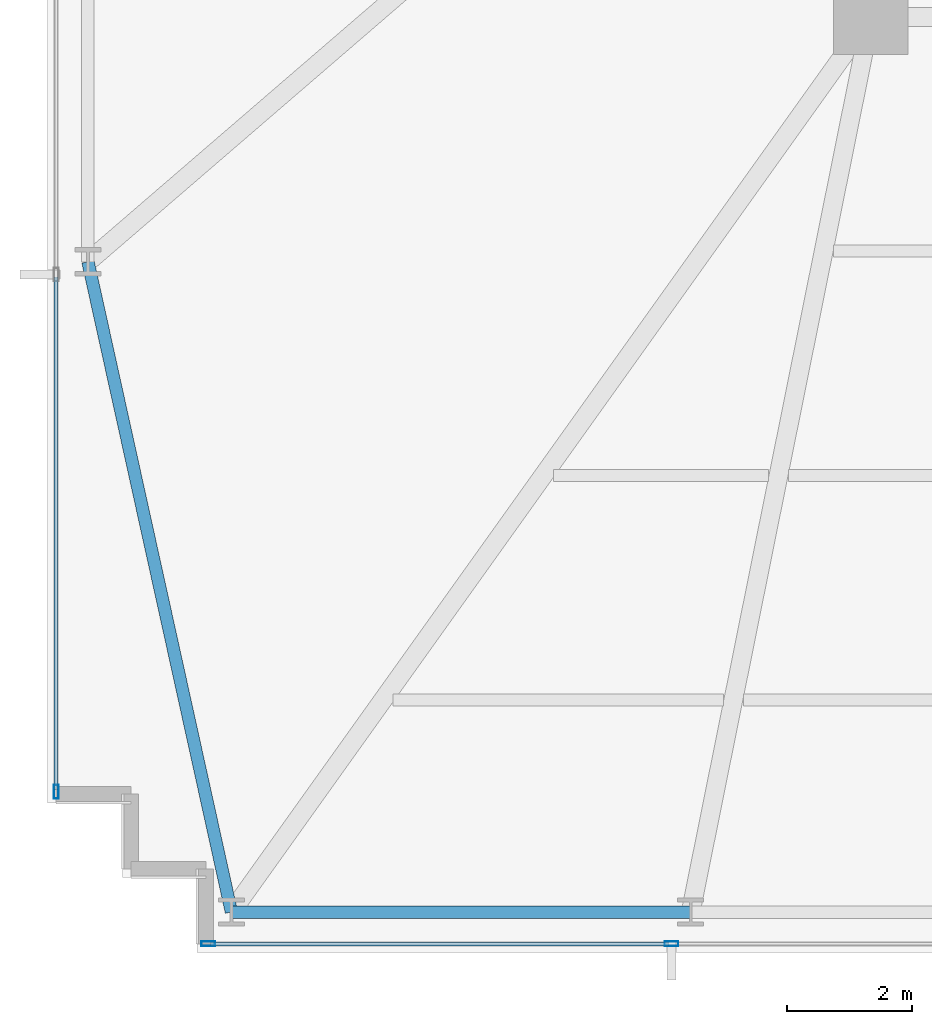
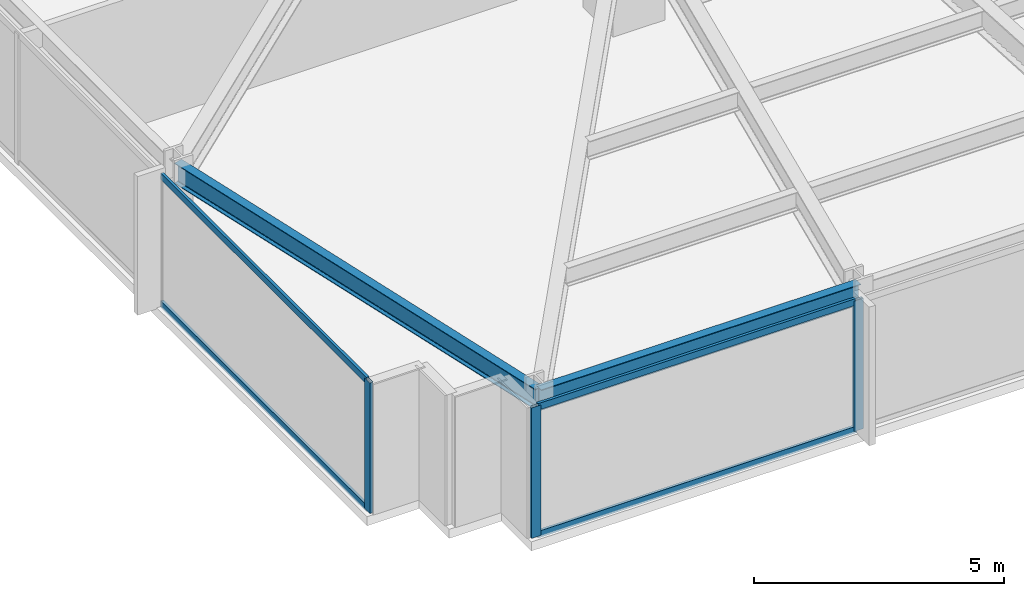
# One storey, part 2 of 33: 7 members, 2 beams, 2 elements without a shape of their own.
"""IFC4 building model written with IfcOpenShell, lengths in metres."""

from ifc_helpers import new_model, si_unit, direction, frame, origin, origin_2d, place, context, subcontext, project, spatial, hollow_rectangle, i_section, extrude, material, material_profile, profile_set, type_object, element, aggregate, save


model = new_model("IFC4")

# Units and contexts
model_context = context("Model", 3, precision=1e-05, world=origin(), true_north=direction((0.0, 1.0)))
body_context = subcontext(model_context, "Body", "Model", "MODEL_VIEW")
ifc_project = project(units=[si_unit("LENGTHUNIT", "METRE"), si_unit("AREAUNIT", "SQUARE_METRE"), si_unit("VOLUMEUNIT", "CUBIC_METRE"), si_unit("PLANEANGLEUNIT", "RADIAN"), si_unit("MASSUNIT", "GRAM", prefix="KILO")], contexts=[model_context])

# Site, building, storey
site_placement = place(None, origin())
site = spatial("IfcSite", under=ifc_project, at=site_placement, CompositionType="ELEMENT")
building_placement = place(site_placement, origin())
building = spatial("IfcBuilding", under=site, at=building_placement, Name="Yelkora Congress Tower", CompositionType="ELEMENT")
storey_placement = place(building_placement, frame((0.0, 0.0, 54.199951171875)))
storey = spatial("IfcBuildingStorey", under=building, at=storey_placement, Name="L13", CompositionType="ELEMENT", Elevation=54.199951171875)

# Beams
ifc_material_1 = material(Name="Steel S355J2", Category="steel")
ifc_material_profile_1 = material_profile(ifc_material_1, i_section(OverallWidth=0.199951171875, OverallDepth=0.5, WebThickness=0.01025390625, FlangeThickness=0.01611328125, FilletRadius=0.02099609375, at=origin_2d()), Name="IPE 500")
ifc_profile_set_1 = profile_set([ifc_material_profile_1], Name="Steel S355J2")
beam_type = type_object("IfcBeamType", Name="BM-SPAN-IPE500", PredefinedType="SPANDREL", material=ifc_profile_set_1)
beam_1_placement = place(storey_placement, frame((6.64990234375, 21.27490234375, 2.929931640625), z_axis=(0.215450706142, -0.976514717361, 0.0), x_axis=(0.976514717361, 0.215450706142, 0.0)))
element("IfcBeam", 1, at=beam_1_placement, inside=storey, type_object=beam_type, Name="L13 Perimeter Beam 1", PredefinedType="SPANDREL", context=body_context, shape_type="SweptSolid", body=[
    extrude(i_section(OverallWidth=0.199951171875, OverallDepth=0.5, WebThickness=0.01025390625, FlangeThickness=0.01611328125, FilletRadius=0.02099609375, at=origin_2d()), origin(), (0.0, 0.0, 1.0), 10.675537109375),
])
beam_2_placement = place(storey_placement, frame((8.949951171875, 10.85009765625, 2.929931640625), z_axis=(1.0, 0.0, 0.0), x_axis=(0.0, 1.0, 0.0)))
element("IfcBeam", 2, at=beam_2_placement, inside=storey, type_object=beam_type, Name="L13 Perimeter Beam 2", PredefinedType="SPANDREL", context=body_context, shape_type="SweptSolid", body=[
    extrude(i_section(OverallWidth=0.199951171875, OverallDepth=0.5, WebThickness=0.01025390625, FlangeThickness=0.01611328125, FilletRadius=0.02099609375, at=origin_2d()), origin(), (0.0, 0.0, 1.0), 7.362548828125),
])

# Curtain wall, member
ifc_material_2 = material(Name="Anodised aluminium and insulated glass", Category="aluminium")
curtain_wall_type = type_object("IfcCurtainWallType", Name="CW-SYS-B1", PredefinedType="NOTDEFINED", material=ifc_material_2)
curtain_wall_1_placement = place(storey_placement, origin())
curtain_wall_1 = element("IfcCurtainWall", 3, at=curtain_wall_1_placement, inside=storey, type_object=curtain_wall_type, Name="L13 Unitised Curtain Wall 5", PredefinedType="NOTDEFINED")
ifc_material_3 = material(Name="Anodised aluminium 6063-T6", Category="aluminium")
ifc_material_profile_2 = material_profile(ifc_material_3, hollow_rectangle(XDim=0.074951171875, YDim=0.219970703125, WallThickness=0.0048828125, at=origin_2d()), Name="ALU 75x220x5")
ifc_profile_set_2 = profile_set([ifc_material_profile_2], Name="Anodised aluminium 6063-T6")
member_type_1 = type_object("IfcMemberType", Name="MEM-ML-B1", PredefinedType="MULLION", material=ifc_profile_set_2)
member_1_placement = place(storey_placement, frame((6.139892578125, 12.777587890625, 0.0), z_axis=(0.0, 0.0, 1.0), x_axis=(-1.0, 0.0, 0.0)))
member_1 = element("IfcMember", 4, at=member_1_placement, type_object=member_type_1, Name="CW-B1 mullion 1", PredefinedType="MULLION", context=body_context, shape_type="SweptSolid", body=[
    extrude(hollow_rectangle(XDim=0.074951171875, YDim=0.219970703125, WallThickness=0.0048828125, at=origin_2d()), origin(), (0.0, 0.0, 1.0), 3.179931640625),
])

# Curtain wall, members
curtain_wall_2_placement = place(storey_placement, origin())
curtain_wall_2 = element("IfcCurtainWall", 5, at=curtain_wall_2_placement, inside=storey, type_object=curtain_wall_type, Name="L13 Unitised Curtain Wall 20", PredefinedType="NOTDEFINED")
member_2_placement = place(storey_placement, frame((16.0048828125, 10.340087890625, 0.0), z_axis=(0.0, 0.0, 1.0), x_axis=(0.0, -1.0, 0.0)))
member_2 = element("IfcMember", 6, at=member_2_placement, type_object=member_type_1, Name="CW-B1 mullion 8", PredefinedType="MULLION", context=body_context, shape_type="SweptSolid", body=[
    extrude(hollow_rectangle(XDim=0.074951171875, YDim=0.219970703125, WallThickness=0.0048828125, at=origin_2d()), origin(), (0.0, 0.0, 1.0), 3.179931640625),
])
member_3_placement = place(storey_placement, frame((8.577392578125, 10.340087890625, 0.0), z_axis=(0.0, 0.0, 1.0), x_axis=(0.0, -1.0, 0.0)))
member_3 = element("IfcMember", 7, at=member_3_placement, type_object=member_type_1, Name="CW-B1 mullion 9", PredefinedType="MULLION", context=body_context, shape_type="SweptSolid", body=[
    extrude(hollow_rectangle(XDim=0.074951171875, YDim=0.219970703125, WallThickness=0.0048828125, at=origin_2d()), origin(), (0.0, 0.0, 1.0), 3.179931640625),
])

# Member
ifc_material_profile_3 = material_profile(ifc_material_3, hollow_rectangle(XDim=0.06494140625, YDim=0.159912109375, WallThickness=0.00390625, at=origin_2d()), Name="ALU 65x160x4")
ifc_profile_set_3 = profile_set([ifc_material_profile_3], Name="Anodised aluminium 6063-T6")
member_type_2 = type_object("IfcMemberType", Name="MEM-TR-B1", PredefinedType="USERDEFINED", material=ifc_profile_set_3)
member_4_placement = place(storey_placement, frame((6.139892578125, 12.81494140625, 0.032470703125), z_axis=(0.0, 1.0, 0.0), x_axis=(-1.0, 0.0, 0.0)))
member_4 = element("IfcMember", 8, at=member_4_placement, type_object=member_type_2, Name="CW-B1 transom 1.1", ObjectType="TRANSOM", PredefinedType="USERDEFINED", context=body_context, shape_type="SweptSolid", body=[
    extrude(hollow_rectangle(XDim=0.06494140625, YDim=0.159912109375, WallThickness=0.00390625, at=origin_2d()), origin(), (0.0, 0.0, 1.0), 8.217529296875),
])

member_5_placement = place(storey_placement, frame((6.139892578125, 12.81494140625, 3.1474609375), z_axis=(0.0, 1.0, 0.0), x_axis=(-1.0, 0.0, 0.0)))
member_5 = element("IfcMember", 9, at=member_5_placement, type_object=member_type_2, Name="CW-B1 transom 1.2", ObjectType="TRANSOM", PredefinedType="USERDEFINED", context=body_context, shape_type="SweptSolid", body=[
    extrude(hollow_rectangle(XDim=0.06494140625, YDim=0.159912109375, WallThickness=0.00390625, at=origin_2d()), origin(), (0.0, 0.0, 1.0), 8.217529296875),
])

aggregate(curtain_wall_1, [member_1, member_4, member_5])

member_6_placement = place(storey_placement, frame((15.967529296875, 10.340087890625, 0.032470703125), z_axis=(-1.0, 0.0, 0.0), x_axis=(0.0, -1.0, 0.0)))
member_6 = element("IfcMember", 10, at=member_6_placement, type_object=member_type_2, Name="CW-B1 transom 8.1", ObjectType="TRANSOM", PredefinedType="USERDEFINED", context=body_context, shape_type="SweptSolid", body=[
    extrude(hollow_rectangle(XDim=0.06494140625, YDim=0.159912109375, WallThickness=0.00390625, at=origin_2d()), origin(), (0.0, 0.0, 1.0), 7.3525390625),
])

member_7_placement = place(storey_placement, frame((15.967529296875, 10.340087890625, 3.1474609375), z_axis=(-1.0, 0.0, 0.0), x_axis=(0.0, -1.0, 0.0)))
member_7 = element("IfcMember", 11, at=member_7_placement, type_object=member_type_2, Name="CW-B1 transom 8.2", ObjectType="TRANSOM", PredefinedType="USERDEFINED", context=body_context, shape_type="SweptSolid", body=[
    extrude(hollow_rectangle(XDim=0.06494140625, YDim=0.159912109375, WallThickness=0.00390625, at=origin_2d()), origin(), (0.0, 0.0, 1.0), 7.3525390625),
])

aggregate(curtain_wall_2, [member_2, member_3, member_6, member_7])

save(model, "model.ifc")
